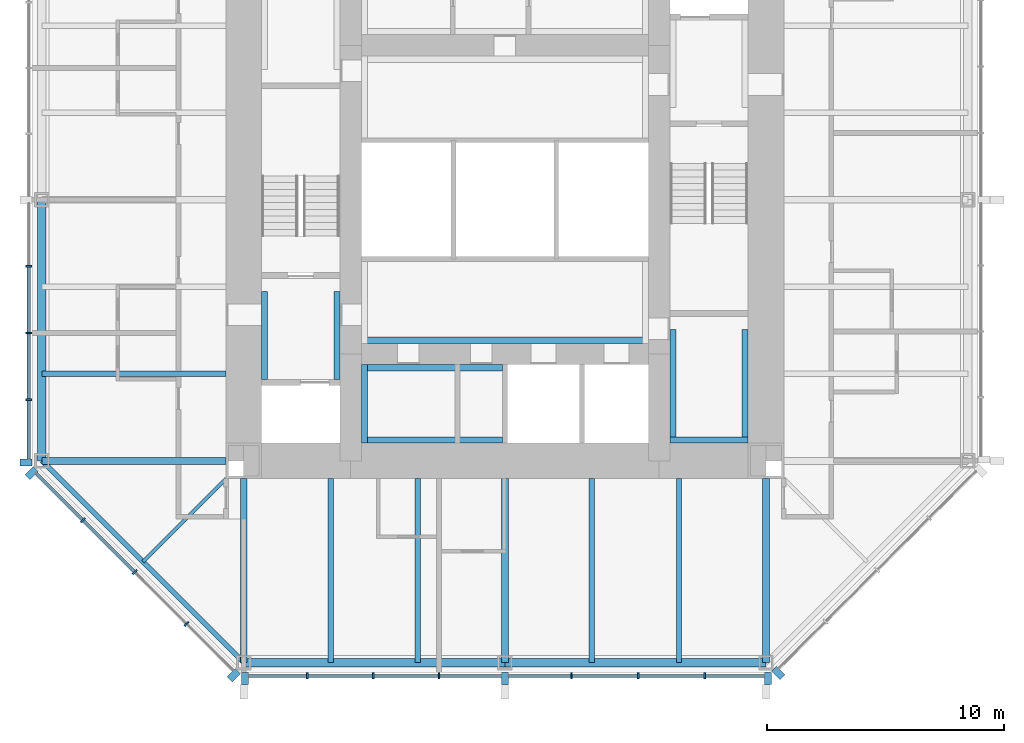
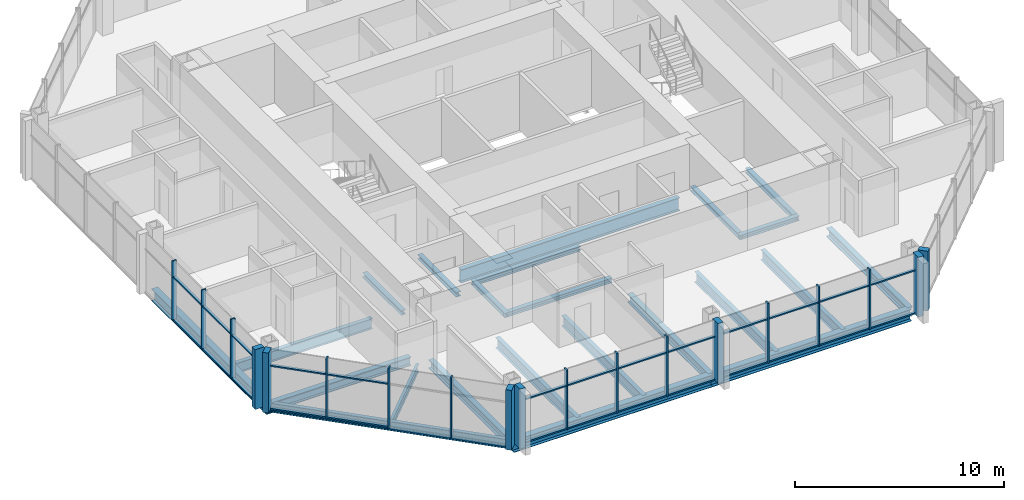
# One storey, part 2 of 11: 45 members, 23 beams, 4 elements without a shape of their own.
"""IFC4 building model written with IfcOpenShell, lengths in metres."""

from ifc_helpers import new_model, si_unit, direction, frame, origin, origin_2d, place, context, subcontext, project, spatial, rectangle, i_section, extrude, material, material_profile, profile_set, type_object, element, aggregate, save


model = new_model("IFC4")

# Units and contexts
model_context = context("Model", 3, precision=1e-05, world=origin(), true_north=direction((0.0, 1.0)))
body_context = subcontext(model_context, "Body", "Model", "MODEL_VIEW")
ifc_project = project(units=[si_unit("LENGTHUNIT", "METRE"), si_unit("AREAUNIT", "SQUARE_METRE"), si_unit("VOLUMEUNIT", "CUBIC_METRE"), si_unit("PLANEANGLEUNIT", "RADIAN"), si_unit("MASSUNIT", "GRAM", prefix="KILO")], contexts=[model_context])

# Site, building, storey
site_placement = place(None, origin())
site = spatial("IfcSite", under=ifc_project, at=site_placement, CompositionType="ELEMENT")
building_placement = place(site_placement, origin())
building = spatial("IfcBuilding", under=site, at=building_placement, Name="Trevanion Tower", CompositionType="ELEMENT")
storey_placement = place(building_placement, frame((0.0, 0.0, 225.699951171875)))
storey = spatial("IfcBuildingStorey", under=building, at=storey_placement, Name="L54", CompositionType="ELEMENT", Elevation=225.699951171875)

# Beams
ifc_material_1 = material(Name="Steel ASTM A992 Grade 50", Category="steel")
ifc_material_profile_1 = material_profile(ifc_material_1, i_section(OverallWidth=0.228271484375, OverallDepth=0.607177734375, WebThickness=0.01123046875, FlangeThickness=0.017333984375, at=origin_2d()), Name="W24X76")
ifc_profile_set_1 = profile_set([ifc_material_profile_1], Name="Steel ASTM A992 Grade 50")
beam_type_1 = type_object("IfcBeamType", Name="B11 W24X76", PredefinedType="BEAM", material=ifc_profile_set_1)
for number, where, z_axis, x_axis, name in (
    (1, (-11.75, -7.333251953125, -0.493408203125), (-1.0, 0.0, 0.0), (0.0, -1.0, 0.0), "B11 L54"),
    (2, (-7.333251953125, -11.75, -0.493408203125), (0.0, -1.0, 0.0), (1.0, 0.0, 0.0), "B11 L54"),
    (3, (-3.666748046875, -11.75, -0.493408203125), (0.0, -1.0, 0.0), (1.0, 0.0, 0.0), "B11 L54"),
    (4, (3.666748046875, -11.75, -0.493408203125), (0.0, -1.0, 0.0), (1.0, 0.0, 0.0), "B11 L54"),
    (5, (7.333251953125, -11.75, -0.493408203125), (0.0, -1.0, 0.0), (1.0, 0.0, 0.0), "B11 L54"),
):
    element("IfcBeam", number, at=place(storey_placement, frame(where, z_axis=z_axis, x_axis=x_axis)), inside=storey, type_object=beam_type_1, Name=name, PredefinedType="BEAM", context=body_context, shape_type="SweptSolid", body=[
        extrude(i_section(OverallWidth=0.228271484375, OverallDepth=0.607177734375, WebThickness=0.01123046875, FlangeThickness=0.017333984375, at=origin_2d()), origin(), (0.0, 0.0, 1.0), 7.75),
    ])
ifc_material_2 = material(Name="Steel ASTM A992 Grade 50", Category="steel")
ifc_material_profile_2 = material_profile(ifc_material_2, i_section(OverallWidth=0.15234375, OverallDepth=0.449462890625, WebThickness=0.007568359375, FlangeThickness=0.0107421875, at=origin_2d()), Name="W18X35")
ifc_profile_set_2 = profile_set([ifc_material_profile_2], Name="Steel ASTM A992 Grade 50")
beam_type_2 = type_object("IfcBeamType", Name="B12 W18X35", PredefinedType="BEAM", material=ifc_profile_set_2)
beam_1_placement = place(storey_placement, frame((-11.75, -11.75, -0.414794921875), z_axis=(-0.707106781187, -0.707106781187, 0.0), x_axis=(0.707106781187, -0.707106781187, 0.0)))
element("IfcBeam", 6, at=beam_1_placement, inside=storey, type_object=beam_type_2, Name="B12 L54", PredefinedType="BEAM", context=body_context, shape_type="SweptSolid", body=[
    extrude(i_section(OverallWidth=0.15234375, OverallDepth=0.449462890625, WebThickness=0.007568359375, FlangeThickness=0.0107421875, at=origin_2d()), origin(), (0.0, 0.0, 1.0), 4.94970703125),
])

# Curtain wall, members
ifc_material_3 = material(Name="Aluminium and glass", Category="aluminium")
curtain_wall_type = type_object("IfcCurtainWallType", Name="CW3 curtain wall", PredefinedType="USERDEFINED", material=ifc_material_3)
curtain_wall_1_placement = place(storey_placement, origin())
curtain_wall_1 = element("IfcCurtainWall", 7, at=curtain_wall_1_placement, inside=storey, type_object=curtain_wall_type, Name="CW3 L54 4", ObjectType="UNITISED CURTAIN WALL", PredefinedType="USERDEFINED")
ifc_material_4 = material(Name="Aluminium extrusion, anodised bronze", Category="aluminium")
ifc_material_profile_3 = material_profile(ifc_material_4, rectangle(XDim=0.074951171875, YDim=0.25, at=origin_2d()), Name="CW3 mullion")
ifc_profile_set_3 = profile_set([ifc_material_profile_3], Name="Aluminium extrusion, anodised bronze")
member_type_1 = type_object("IfcMemberType", Name="CW3 mullion", PredefinedType="MULLION", material=ifc_profile_set_3)
member_1_placement = place(storey_placement, frame((-20.050048828125, -2.806884765625, -0.18994140625), z_axis=(0.0, 0.0, 1.0), x_axis=(0.0, -1.0, 0.0)))
member_1 = element("IfcMember", 8, at=member_1_placement, type_object=member_type_1, Name="CW3 mullion 6", PredefinedType="MULLION", context=body_context, shape_type="SweptSolid", body=[
    extrude(rectangle(XDim=0.074951171875, YDim=0.25, at=origin_2d()), origin(), (0.0, 0.0, 1.0), 3.5),
])
member_2_placement = place(storey_placement, frame((-20.050048828125, -5.614013671875, -0.18994140625), z_axis=(0.0, 0.0, 1.0), x_axis=(0.0, -1.0, 0.0)))
member_2 = element("IfcMember", 9, at=member_2_placement, type_object=member_type_1, Name="CW3 mullion 7", PredefinedType="MULLION", context=body_context, shape_type="SweptSolid", body=[
    extrude(rectangle(XDim=0.074951171875, YDim=0.25, at=origin_2d()), origin(), (0.0, 0.0, 1.0), 3.5),
])
member_3_placement = place(storey_placement, frame((-20.050048828125, -8.4208984375, -0.18994140625), z_axis=(0.0, 0.0, 1.0), x_axis=(0.0, -1.0, 0.0)))
member_3 = element("IfcMember", 10, at=member_3_placement, type_object=member_type_1, Name="CW3 mullion 8", PredefinedType="MULLION", context=body_context, shape_type="SweptSolid", body=[
    extrude(rectangle(XDim=0.074951171875, YDim=0.25, at=origin_2d()), origin(), (0.0, 0.0, 1.0), 3.5),
])

curtain_wall_2_placement = place(storey_placement, origin())
curtain_wall_2 = element("IfcCurtainWall", 11, at=curtain_wall_2_placement, inside=storey, type_object=curtain_wall_type, Name="CW3 L54 5", ObjectType="UNITISED CURTAIN WALL", PredefinedType="USERDEFINED")
member_4_placement = place(storey_placement, frame((-17.775390625, -13.502197265625, -0.18994140625), z_axis=(0.0, 0.0, 1.0), x_axis=(0.707106781187, -0.707106781187, 0.0)))
member_4 = element("IfcMember", 12, at=member_4_placement, type_object=member_type_1, Name="CW3 mullion 2", PredefinedType="MULLION", context=body_context, shape_type="SweptSolid", body=[
    extrude(rectangle(XDim=0.074951171875, YDim=0.25, at=origin_2d()), origin(), (0.0, 0.0, 1.0), 3.5),
])
member_5_placement = place(storey_placement, frame((-15.593017578125, -15.684814453125, -0.18994140625), z_axis=(0.0, 0.0, 1.0), x_axis=(0.707106781187, -0.707106781187, 0.0)))
member_5 = element("IfcMember", 13, at=member_5_placement, type_object=member_type_1, Name="CW3 mullion 3", PredefinedType="MULLION", context=body_context, shape_type="SweptSolid", body=[
    extrude(rectangle(XDim=0.074951171875, YDim=0.25, at=origin_2d()), origin(), (0.0, 0.0, 1.0), 3.5),
])
member_6_placement = place(storey_placement, frame((-13.410400390625, -17.867431640625, -0.18994140625), z_axis=(0.0, 0.0, 1.0), x_axis=(0.707106781187, -0.707106781187, 0.0)))
member_6 = element("IfcMember", 14, at=member_6_placement, type_object=member_type_1, Name="CW3 mullion 4", PredefinedType="MULLION", context=body_context, shape_type="SweptSolid", body=[
    extrude(rectangle(XDim=0.074951171875, YDim=0.25, at=origin_2d()), origin(), (0.0, 0.0, 1.0), 3.5),
])

curtain_wall_3_placement = place(storey_placement, origin())
curtain_wall_3 = element("IfcCurtainWall", 15, at=curtain_wall_3_placement, inside=storey, type_object=curtain_wall_type, Name="CW3 L54 6", ObjectType="UNITISED CURTAIN WALL", PredefinedType="USERDEFINED")
member_7_placement = place(storey_placement, frame((-8.323486328125, -20.050048828125, -0.18994140625), z_axis=(0.0, 0.0, 1.0), x_axis=(1.0, 0.0, 0.0)))
member_7 = element("IfcMember", 16, at=member_7_placement, type_object=member_type_1, Name="CW3 mullion 2", PredefinedType="MULLION", context=body_context, shape_type="SweptSolid", body=[
    extrude(rectangle(XDim=0.074951171875, YDim=0.25, at=origin_2d()), origin(), (0.0, 0.0, 1.0), 3.5),
])
member_8_placement = place(storey_placement, frame((-5.548828125, -20.050048828125, -0.18994140625), z_axis=(0.0, 0.0, 1.0), x_axis=(1.0, 0.0, 0.0)))
member_8 = element("IfcMember", 17, at=member_8_placement, type_object=member_type_1, Name="CW3 mullion 3", PredefinedType="MULLION", context=body_context, shape_type="SweptSolid", body=[
    extrude(rectangle(XDim=0.074951171875, YDim=0.25, at=origin_2d()), origin(), (0.0, 0.0, 1.0), 3.5),
])
member_9_placement = place(storey_placement, frame((-2.7744140625, -20.050048828125, -0.18994140625), z_axis=(0.0, 0.0, 1.0), x_axis=(1.0, 0.0, 0.0)))
member_9 = element("IfcMember", 18, at=member_9_placement, type_object=member_type_1, Name="CW3 mullion 4", PredefinedType="MULLION", context=body_context, shape_type="SweptSolid", body=[
    extrude(rectangle(XDim=0.074951171875, YDim=0.25, at=origin_2d()), origin(), (0.0, 0.0, 1.0), 3.5),
])
member_10_placement = place(storey_placement, frame((2.806884765625, -20.050048828125, -0.18994140625), z_axis=(0.0, 0.0, 1.0), x_axis=(1.0, 0.0, 0.0)))
member_10 = element("IfcMember", 19, at=member_10_placement, type_object=member_type_1, Name="CW3 mullion 6", PredefinedType="MULLION", context=body_context, shape_type="SweptSolid", body=[
    extrude(rectangle(XDim=0.074951171875, YDim=0.25, at=origin_2d()), origin(), (0.0, 0.0, 1.0), 3.5),
])
member_11_placement = place(storey_placement, frame((5.614013671875, -20.050048828125, -0.18994140625), z_axis=(0.0, 0.0, 1.0), x_axis=(1.0, 0.0, 0.0)))
member_11 = element("IfcMember", 20, at=member_11_placement, type_object=member_type_1, Name="CW3 mullion 7", PredefinedType="MULLION", context=body_context, shape_type="SweptSolid", body=[
    extrude(rectangle(XDim=0.074951171875, YDim=0.25, at=origin_2d()), origin(), (0.0, 0.0, 1.0), 3.5),
])
member_12_placement = place(storey_placement, frame((8.4208984375, -20.050048828125, -0.18994140625), z_axis=(0.0, 0.0, 1.0), x_axis=(1.0, 0.0, 0.0)))
member_12 = element("IfcMember", 21, at=member_12_placement, type_object=member_type_1, Name="CW3 mullion 8", PredefinedType="MULLION", context=body_context, shape_type="SweptSolid", body=[
    extrude(rectangle(XDim=0.074951171875, YDim=0.25, at=origin_2d()), origin(), (0.0, 0.0, 1.0), 3.5),
])

# Member
ifc_material_5 = material(Name="Aluminium extrusion, anodised bronze", Category="aluminium")
ifc_material_profile_4 = material_profile(ifc_material_5, rectangle(XDim=0.300048828125, YDim=0.5, at=origin_2d()), Name="CW3 pier mullion")
ifc_profile_set_4 = profile_set([ifc_material_profile_4], Name="Aluminium extrusion, anodised bronze")
member_type_2 = type_object("IfcMemberType", Name="CW3 pier mullion", PredefinedType="MULLION", material=ifc_profile_set_4)
member_13_placement = place(storey_placement, frame((-20.175048828125, -11.077880859375, -0.18994140625), z_axis=(0.0, 0.0, 1.0), x_axis=(0.0, -1.0, 0.0)))
member_13 = element("IfcMember", 22, at=member_13_placement, type_object=member_type_2, Name="CW3 pier mullion 9", PredefinedType="MULLION", context=body_context, shape_type="SweptSolid", body=[
    extrude(rectangle(XDim=0.300048828125, YDim=0.5, at=origin_2d()), origin(), (0.0, 0.0, 1.0), 3.5),
])

member_14_placement = place(storey_placement, frame((-19.9404296875, -11.51416015625, -0.18994140625), z_axis=(0.0, 0.0, 1.0), x_axis=(0.707106781187, -0.707106781187, 0.0)))
member_14 = element("IfcMember", 23, at=member_14_placement, type_object=member_type_2, Name="CW3 pier mullion 1", PredefinedType="MULLION", context=body_context, shape_type="SweptSolid", body=[
    extrude(rectangle(XDim=0.300048828125, YDim=0.5, at=origin_2d()), origin(), (0.0, 0.0, 1.0), 3.5),
])

member_15_placement = place(storey_placement, frame((-11.42236328125, -20.0322265625, -0.18994140625), z_axis=(0.0, 0.0, 1.0), x_axis=(0.707106781187, -0.707106781187, 0.0)))
member_15 = element("IfcMember", 24, at=member_15_placement, type_object=member_type_2, Name="CW3 pier mullion 5", PredefinedType="MULLION", context=body_context, shape_type="SweptSolid", body=[
    extrude(rectangle(XDim=0.300048828125, YDim=0.5, at=origin_2d()), origin(), (0.0, 0.0, 1.0), 3.5),
])

member_16_placement = place(storey_placement, frame((-10.94775390625, -20.175048828125, -0.18994140625), z_axis=(0.0, 0.0, 1.0), x_axis=(1.0, 0.0, 0.0)))
member_16 = element("IfcMember", 25, at=member_16_placement, type_object=member_type_2, Name="CW3 pier mullion 1", PredefinedType="MULLION", context=body_context, shape_type="SweptSolid", body=[
    extrude(rectangle(XDim=0.300048828125, YDim=0.5, at=origin_2d()), origin(), (0.0, 0.0, 1.0), 3.5),
])

member_17_placement = place(storey_placement, frame((0.0, -20.175048828125, -0.18994140625), z_axis=(0.0, 0.0, 1.0), x_axis=(1.0, 0.0, 0.0)))
member_17 = element("IfcMember", 26, at=member_17_placement, type_object=member_type_2, Name="CW3 pier mullion 5", PredefinedType="MULLION", context=body_context, shape_type="SweptSolid", body=[
    extrude(rectangle(XDim=0.300048828125, YDim=0.5, at=origin_2d()), origin(), (0.0, 0.0, 1.0), 3.5),
])

member_18_placement = place(storey_placement, frame((11.077880859375, -20.175048828125, -0.18994140625), z_axis=(0.0, 0.0, 1.0), x_axis=(1.0, 0.0, 0.0)))
member_18 = element("IfcMember", 27, at=member_18_placement, type_object=member_type_2, Name="CW3 pier mullion 9", PredefinedType="MULLION", context=body_context, shape_type="SweptSolid", body=[
    extrude(rectangle(XDim=0.300048828125, YDim=0.5, at=origin_2d()), origin(), (0.0, 0.0, 1.0), 3.5),
])

# Curtain wall, member
curtain_wall_4_placement = place(storey_placement, origin())
curtain_wall_4 = element("IfcCurtainWall", 28, at=curtain_wall_4_placement, inside=storey, type_object=curtain_wall_type, Name="CW3 L54 7", ObjectType="UNITISED CURTAIN WALL", PredefinedType="USERDEFINED")
member_19_placement = place(storey_placement, frame((11.51416015625, -19.9404296875, -0.18994140625), z_axis=(0.0, 0.0, 1.0), x_axis=(0.707106781187, 0.707106781187, 0.0)))
member_19 = element("IfcMember", 29, at=member_19_placement, type_object=member_type_2, Name="CW3 pier mullion 1", PredefinedType="MULLION", context=body_context, shape_type="SweptSolid", body=[
    extrude(rectangle(XDim=0.300048828125, YDim=0.5, at=origin_2d()), origin(), (0.0, 0.0, 1.0), 3.5),
])
aggregate(curtain_wall_4, [member_19])

# Member
ifc_material_6 = material(Name="Aluminium extrusion, anodised bronze", Category="aluminium")
ifc_material_profile_5 = material_profile(ifc_material_6, rectangle(XDim=0.14990234375, YDim=0.074951171875, at=origin_2d()), Name="CW3 transom")
ifc_profile_set_5 = profile_set([ifc_material_profile_5], Name="Aluminium extrusion, anodised bronze")
member_type_3 = type_object("IfcMemberType", Name="CW3 transom", PredefinedType="USERDEFINED", material=ifc_profile_set_5)
member_20_placement = place(storey_placement, frame((-20.050048828125, -2.844482421875, -0.15234375), z_axis=(0.0, -1.0, 0.0), x_axis=(1.0, 0.0, 0.0)))
member_20 = element("IfcMember", 30, at=member_20_placement, type_object=member_type_3, Name="CW3 transom 6.1", ObjectType="TRANSOM", PredefinedType="USERDEFINED", context=body_context, shape_type="SweptSolid", body=[
    extrude(rectangle(XDim=0.14990234375, YDim=0.074951171875, at=origin_2d()), origin(), (0.0, 0.0, 1.0), 2.73193359375),
])

member_21_placement = place(storey_placement, frame((-20.050048828125, -2.844482421875, 2.360107421875), z_axis=(0.0, -1.0, 0.0), x_axis=(1.0, 0.0, 0.0)))
member_21 = element("IfcMember", 31, at=member_21_placement, type_object=member_type_3, Name="CW3 transom 6.2", ObjectType="TRANSOM", PredefinedType="USERDEFINED", context=body_context, shape_type="SweptSolid", body=[
    extrude(rectangle(XDim=0.14990234375, YDim=0.074951171875, at=origin_2d()), origin(), (0.0, 0.0, 1.0), 2.73193359375),
])

member_22_placement = place(storey_placement, frame((-20.050048828125, -5.6513671875, -0.15234375), z_axis=(0.0, -1.0, 0.0), x_axis=(1.0, 0.0, 0.0)))
member_22 = element("IfcMember", 32, at=member_22_placement, type_object=member_type_3, Name="CW3 transom 7.1", ObjectType="TRANSOM", PredefinedType="USERDEFINED", context=body_context, shape_type="SweptSolid", body=[
    extrude(rectangle(XDim=0.14990234375, YDim=0.074951171875, at=origin_2d()), origin(), (0.0, 0.0, 1.0), 2.73193359375),
])

member_23_placement = place(storey_placement, frame((-20.050048828125, -5.6513671875, 2.360107421875), z_axis=(0.0, -1.0, 0.0), x_axis=(1.0, 0.0, 0.0)))
member_23 = element("IfcMember", 33, at=member_23_placement, type_object=member_type_3, Name="CW3 transom 7.2", ObjectType="TRANSOM", PredefinedType="USERDEFINED", context=body_context, shape_type="SweptSolid", body=[
    extrude(rectangle(XDim=0.14990234375, YDim=0.074951171875, at=origin_2d()), origin(), (0.0, 0.0, 1.0), 2.73193359375),
])

member_24_placement = place(storey_placement, frame((-20.050048828125, -8.45849609375, -0.15234375), z_axis=(0.0, -1.0, 0.0), x_axis=(1.0, 0.0, 0.0)))
member_24 = element("IfcMember", 34, at=member_24_placement, type_object=member_type_3, Name="CW3 transom 8.1", ObjectType="TRANSOM", PredefinedType="USERDEFINED", context=body_context, shape_type="SweptSolid", body=[
    extrude(rectangle(XDim=0.14990234375, YDim=0.074951171875, at=origin_2d()), origin(), (0.0, 0.0, 1.0), 2.46923828125),
])

member_25_placement = place(storey_placement, frame((-20.050048828125, -8.45849609375, 2.360107421875), z_axis=(0.0, -1.0, 0.0), x_axis=(1.0, 0.0, 0.0)))
member_25 = element("IfcMember", 35, at=member_25_placement, type_object=member_type_3, Name="CW3 transom 8.2", ObjectType="TRANSOM", PredefinedType="USERDEFINED", context=body_context, shape_type="SweptSolid", body=[
    extrude(rectangle(XDim=0.14990234375, YDim=0.074951171875, at=origin_2d()), origin(), (0.0, 0.0, 1.0), 2.46923828125),
])

aggregate(curtain_wall_1, [member_1, member_2, member_3, member_13, member_20, member_21, member_22, member_23, member_24, member_25])

member_26_placement = place(storey_placement, frame((-19.745849609375, -11.531982421875, -0.15234375), z_axis=(0.707106781187, -0.707106781187, 0.0), x_axis=(0.707106781187, 0.707106781187, 0.0)))
member_26 = element("IfcMember", 36, at=member_26_placement, type_object=member_type_3, Name="CW3 transom 1.1", ObjectType="TRANSOM", PredefinedType="USERDEFINED", context=body_context, shape_type="SweptSolid", body=[
    extrude(rectangle(XDim=0.14990234375, YDim=0.074951171875, at=origin_2d()), origin(), (0.0, 0.0, 1.0), 2.7490234375),
])

member_27_placement = place(storey_placement, frame((-19.745849609375, -11.531982421875, 2.360107421875), z_axis=(0.707106781187, -0.707106781187, 0.0), x_axis=(0.707106781187, 0.707106781187, 0.0)))
member_27 = element("IfcMember", 37, at=member_27_placement, type_object=member_type_3, Name="CW3 transom 1.2", ObjectType="TRANSOM", PredefinedType="USERDEFINED", context=body_context, shape_type="SweptSolid", body=[
    extrude(rectangle(XDim=0.14990234375, YDim=0.074951171875, at=origin_2d()), origin(), (0.0, 0.0, 1.0), 2.7490234375),
])

member_28_placement = place(storey_placement, frame((-17.7490234375, -13.52880859375, -0.15234375), z_axis=(0.707106781187, -0.707106781187, 0.0), x_axis=(0.707106781187, 0.707106781187, 0.0)))
member_28 = element("IfcMember", 38, at=member_28_placement, type_object=member_type_3, Name="CW3 transom 2.1", ObjectType="TRANSOM", PredefinedType="USERDEFINED", context=body_context, shape_type="SweptSolid", body=[
    extrude(rectangle(XDim=0.14990234375, YDim=0.074951171875, at=origin_2d()), origin(), (0.0, 0.0, 1.0), 3.01171875),
])

member_29_placement = place(storey_placement, frame((-17.7490234375, -13.52880859375, 2.360107421875), z_axis=(0.707106781187, -0.707106781187, 0.0), x_axis=(0.707106781187, 0.707106781187, 0.0)))
member_29 = element("IfcMember", 39, at=member_29_placement, type_object=member_type_3, Name="CW3 transom 2.2", ObjectType="TRANSOM", PredefinedType="USERDEFINED", context=body_context, shape_type="SweptSolid", body=[
    extrude(rectangle(XDim=0.14990234375, YDim=0.074951171875, at=origin_2d()), origin(), (0.0, 0.0, 1.0), 3.01171875),
])

aggregate(curtain_wall_2, [member_14, member_4, member_5, member_6, member_15, member_26, member_27, member_28, member_29])

member_30_placement = place(storey_placement, frame((-10.7978515625, -20.050048828125, -0.15234375), z_axis=(1.0, 0.0, 0.0), x_axis=(0.0, 1.0, 0.0)))
member_30 = element("IfcMember", 40, at=member_30_placement, type_object=member_type_3, Name="CW3 transom 1.1", ObjectType="TRANSOM", PredefinedType="USERDEFINED", context=body_context, shape_type="SweptSolid", body=[
    extrude(rectangle(XDim=0.14990234375, YDim=0.074951171875, at=origin_2d()), origin(), (0.0, 0.0, 1.0), 2.43701171875),
])

member_31_placement = place(storey_placement, frame((-10.7978515625, -20.050048828125, 2.360107421875), z_axis=(1.0, 0.0, 0.0), x_axis=(0.0, 1.0, 0.0)))
member_31 = element("IfcMember", 41, at=member_31_placement, type_object=member_type_3, Name="CW3 transom 1.2", ObjectType="TRANSOM", PredefinedType="USERDEFINED", context=body_context, shape_type="SweptSolid", body=[
    extrude(rectangle(XDim=0.14990234375, YDim=0.074951171875, at=origin_2d()), origin(), (0.0, 0.0, 1.0), 2.43701171875),
])

member_32_placement = place(storey_placement, frame((-8.285888671875, -20.050048828125, -0.15234375), z_axis=(1.0, 0.0, 0.0), x_axis=(0.0, 1.0, 0.0)))
member_32 = element("IfcMember", 42, at=member_32_placement, type_object=member_type_3, Name="CW3 transom 2.1", ObjectType="TRANSOM", PredefinedType="USERDEFINED", context=body_context, shape_type="SweptSolid", body=[
    extrude(rectangle(XDim=0.14990234375, YDim=0.074951171875, at=origin_2d()), origin(), (0.0, 0.0, 1.0), 2.699462890625),
])

member_33_placement = place(storey_placement, frame((-8.285888671875, -20.050048828125, 2.360107421875), z_axis=(1.0, 0.0, 0.0), x_axis=(0.0, 1.0, 0.0)))
member_33 = element("IfcMember", 43, at=member_33_placement, type_object=member_type_3, Name="CW3 transom 2.2", ObjectType="TRANSOM", PredefinedType="USERDEFINED", context=body_context, shape_type="SweptSolid", body=[
    extrude(rectangle(XDim=0.14990234375, YDim=0.074951171875, at=origin_2d()), origin(), (0.0, 0.0, 1.0), 2.699462890625),
])

member_34_placement = place(storey_placement, frame((-5.511474609375, -20.050048828125, -0.15234375), z_axis=(1.0, 0.0, 0.0), x_axis=(0.0, 1.0, 0.0)))
member_34 = element("IfcMember", 44, at=member_34_placement, type_object=member_type_3, Name="CW3 transom 3.1", ObjectType="TRANSOM", PredefinedType="USERDEFINED", context=body_context, shape_type="SweptSolid", body=[
    extrude(rectangle(XDim=0.14990234375, YDim=0.074951171875, at=origin_2d()), origin(), (0.0, 0.0, 1.0), 2.699462890625),
])

member_35_placement = place(storey_placement, frame((-5.511474609375, -20.050048828125, 2.360107421875), z_axis=(1.0, 0.0, 0.0), x_axis=(0.0, 1.0, 0.0)))
member_35 = element("IfcMember", 45, at=member_35_placement, type_object=member_type_3, Name="CW3 transom 3.2", ObjectType="TRANSOM", PredefinedType="USERDEFINED", context=body_context, shape_type="SweptSolid", body=[
    extrude(rectangle(XDim=0.14990234375, YDim=0.074951171875, at=origin_2d()), origin(), (0.0, 0.0, 1.0), 2.699462890625),
])

member_36_placement = place(storey_placement, frame((-2.737060546875, -20.050048828125, -0.15234375), z_axis=(1.0, 0.0, 0.0), x_axis=(0.0, 1.0, 0.0)))
member_36 = element("IfcMember", 46, at=member_36_placement, type_object=member_type_3, Name="CW3 transom 4.1", ObjectType="TRANSOM", PredefinedType="USERDEFINED", context=body_context, shape_type="SweptSolid", body=[
    extrude(rectangle(XDim=0.14990234375, YDim=0.074951171875, at=origin_2d()), origin(), (0.0, 0.0, 1.0), 2.587158203125),
])

member_37_placement = place(storey_placement, frame((-2.737060546875, -20.050048828125, 2.360107421875), z_axis=(1.0, 0.0, 0.0), x_axis=(0.0, 1.0, 0.0)))
member_37 = element("IfcMember", 47, at=member_37_placement, type_object=member_type_3, Name="CW3 transom 4.2", ObjectType="TRANSOM", PredefinedType="USERDEFINED", context=body_context, shape_type="SweptSolid", body=[
    extrude(rectangle(XDim=0.14990234375, YDim=0.074951171875, at=origin_2d()), origin(), (0.0, 0.0, 1.0), 2.587158203125),
])

member_38_placement = place(storey_placement, frame((0.14990234375, -20.050048828125, -0.15234375), z_axis=(1.0, 0.0, 0.0), x_axis=(0.0, 1.0, 0.0)))
member_38 = element("IfcMember", 48, at=member_38_placement, type_object=member_type_3, Name="CW3 transom 5.1", ObjectType="TRANSOM", PredefinedType="USERDEFINED", context=body_context, shape_type="SweptSolid", body=[
    extrude(rectangle(XDim=0.14990234375, YDim=0.074951171875, at=origin_2d()), origin(), (0.0, 0.0, 1.0), 2.619384765625),
])

member_39_placement = place(storey_placement, frame((0.14990234375, -20.050048828125, 2.360107421875), z_axis=(1.0, 0.0, 0.0), x_axis=(0.0, 1.0, 0.0)))
member_39 = element("IfcMember", 49, at=member_39_placement, type_object=member_type_3, Name="CW3 transom 5.2", ObjectType="TRANSOM", PredefinedType="USERDEFINED", context=body_context, shape_type="SweptSolid", body=[
    extrude(rectangle(XDim=0.14990234375, YDim=0.074951171875, at=origin_2d()), origin(), (0.0, 0.0, 1.0), 2.619384765625),
])

member_40_placement = place(storey_placement, frame((2.844482421875, -20.050048828125, -0.15234375), z_axis=(1.0, 0.0, 0.0), x_axis=(0.0, 1.0, 0.0)))
member_40 = element("IfcMember", 50, at=member_40_placement, type_object=member_type_3, Name="CW3 transom 6.1", ObjectType="TRANSOM", PredefinedType="USERDEFINED", context=body_context, shape_type="SweptSolid", body=[
    extrude(rectangle(XDim=0.14990234375, YDim=0.074951171875, at=origin_2d()), origin(), (0.0, 0.0, 1.0), 2.73193359375),
])

member_41_placement = place(storey_placement, frame((2.844482421875, -20.050048828125, 2.360107421875), z_axis=(1.0, 0.0, 0.0), x_axis=(0.0, 1.0, 0.0)))
member_41 = element("IfcMember", 51, at=member_41_placement, type_object=member_type_3, Name="CW3 transom 6.2", ObjectType="TRANSOM", PredefinedType="USERDEFINED", context=body_context, shape_type="SweptSolid", body=[
    extrude(rectangle(XDim=0.14990234375, YDim=0.074951171875, at=origin_2d()), origin(), (0.0, 0.0, 1.0), 2.73193359375),
])

member_42_placement = place(storey_placement, frame((5.6513671875, -20.050048828125, -0.15234375), z_axis=(1.0, 0.0, 0.0), x_axis=(0.0, 1.0, 0.0)))
member_42 = element("IfcMember", 52, at=member_42_placement, type_object=member_type_3, Name="CW3 transom 7.1", ObjectType="TRANSOM", PredefinedType="USERDEFINED", context=body_context, shape_type="SweptSolid", body=[
    extrude(rectangle(XDim=0.14990234375, YDim=0.074951171875, at=origin_2d()), origin(), (0.0, 0.0, 1.0), 2.73193359375),
])

member_43_placement = place(storey_placement, frame((5.6513671875, -20.050048828125, 2.360107421875), z_axis=(1.0, 0.0, 0.0), x_axis=(0.0, 1.0, 0.0)))
member_43 = element("IfcMember", 53, at=member_43_placement, type_object=member_type_3, Name="CW3 transom 7.2", ObjectType="TRANSOM", PredefinedType="USERDEFINED", context=body_context, shape_type="SweptSolid", body=[
    extrude(rectangle(XDim=0.14990234375, YDim=0.074951171875, at=origin_2d()), origin(), (0.0, 0.0, 1.0), 2.73193359375),
])

member_44_placement = place(storey_placement, frame((8.45849609375, -20.050048828125, -0.15234375), z_axis=(1.0, 0.0, 0.0), x_axis=(0.0, 1.0, 0.0)))
member_44 = element("IfcMember", 54, at=member_44_placement, type_object=member_type_3, Name="CW3 transom 8.1", ObjectType="TRANSOM", PredefinedType="USERDEFINED", context=body_context, shape_type="SweptSolid", body=[
    extrude(rectangle(XDim=0.14990234375, YDim=0.074951171875, at=origin_2d()), origin(), (0.0, 0.0, 1.0), 2.46923828125),
])

member_45_placement = place(storey_placement, frame((8.45849609375, -20.050048828125, 2.360107421875), z_axis=(1.0, 0.0, 0.0), x_axis=(0.0, 1.0, 0.0)))
member_45 = element("IfcMember", 55, at=member_45_placement, type_object=member_type_3, Name="CW3 transom 8.2", ObjectType="TRANSOM", PredefinedType="USERDEFINED", context=body_context, shape_type="SweptSolid", body=[
    extrude(rectangle(XDim=0.14990234375, YDim=0.074951171875, at=origin_2d()), origin(), (0.0, 0.0, 1.0), 2.46923828125),
])

aggregate(curtain_wall_3, [member_16, member_7, member_8, member_9, member_17, member_10, member_11, member_12, member_18, member_30, member_31, member_32, member_33, member_34, member_35, member_36, member_37, member_38, member_39, member_40, member_41, member_42, member_43, member_44, member_45])

# Beams
ifc_material_7 = material(Name="Steel ASTM A992 Grade 50", Category="steel")
ifc_material_profile_6 = material_profile(ifc_material_7, i_section(OverallWidth=0.28955078125, OverallDepth=0.508056640625, WebThickness=0.022705078125, FlangeThickness=0.040283203125, at=origin_2d()), Name="W18X175")
ifc_profile_set_6 = profile_set([ifc_material_profile_6], Name="Steel ASTM A992 Grade 50")
beam_type_3 = type_object("IfcBeamType", Name="G6 W18X175", PredefinedType="BEAM", material=ifc_profile_set_6)
for number, where, z_axis, x_axis, name in (
    (56, (-11.75, -11.0, -0.44384765625), (-1.0, 0.0, 0.0), (0.0, -1.0, 0.0), "G6 L54"),
    (57, (-11.0, -11.75, -0.44384765625), (0.0, -1.0, 0.0), (1.0, 0.0, 0.0), "G6 L54"),
    (58, (0.0, -11.75, -0.44384765625), (0.0, -1.0, 0.0), (1.0, 0.0, 0.0), "G6 L54"),
    (59, (11.0, -11.75, -0.44384765625), (0.0, -1.0, 0.0), (1.0, 0.0, 0.0), "G6 L54"),
):
    element("IfcBeam", number, at=place(storey_placement, frame(where, z_axis=z_axis, x_axis=x_axis)), inside=storey, type_object=beam_type_3, Name=name, PredefinedType="BEAM", context=body_context, shape_type="SweptSolid", body=[
        extrude(i_section(OverallWidth=0.28955078125, OverallDepth=0.508056640625, WebThickness=0.022705078125, FlangeThickness=0.040283203125, at=origin_2d()), origin(), (0.0, 0.0, 1.0), 7.75),
    ])
ifc_material_8 = material(Name="Steel ASTM A992 Grade 50", Category="steel")
ifc_material_profile_7 = material_profile(ifc_material_8, i_section(OverallWidth=0.256591796875, OverallDepth=0.26416015625, WebThickness=0.011962890625, FlangeThickness=0.01953125, at=origin_2d()), Name="W10X68")
ifc_profile_set_7 = profile_set([ifc_material_profile_7], Name="Steel ASTM A992 Grade 50")
beam_type_4 = type_object("IfcBeamType", Name="LB1 W10X68", PredefinedType="BEAM", material=ifc_profile_set_7)
for number, where, z_axis, x_axis, name in (
    (60, (-10.12158203125, -7.574951171875, -0.33203125), (0.0, 1.0, 0.0), (-1.0, 0.0, 0.0), "LB1 L54"),
    (61, (-7.078369140625, -7.574951171875, -0.33203125), (0.0, 1.0, 0.0), (-1.0, 0.0, 0.0), "LB1 L54"),
):
    element("IfcBeam", number, at=place(storey_placement, frame(where, z_axis=z_axis, x_axis=x_axis)), inside=storey, type_object=beam_type_4, Name=name, PredefinedType="BEAM", context=body_context, shape_type="SweptSolid", body=[
        extrude(i_section(OverallWidth=0.256591796875, OverallDepth=0.26416015625, WebThickness=0.011962890625, FlangeThickness=0.01953125, at=origin_2d()), origin(), (0.0, 0.0, 1.0), 3.699951171875),
    ])
for number, where, z_axis, x_axis, name in (
    (62, (7.078369140625, -10.25, -0.33203125), (0.0, 1.0, 0.0), (-1.0, 0.0, 0.0), "LB1 L54"),
    (63, (10.12158203125, -10.25, -0.33203125), (0.0, 1.0, 0.0), (-1.0, 0.0, 0.0), "LB1 L54"),
):
    element("IfcBeam", number, at=place(storey_placement, frame(where, z_axis=z_axis, x_axis=x_axis)), inside=storey, type_object=beam_type_4, Name=name, PredefinedType="BEAM", context=body_context, shape_type="SweptSolid", body=[
        extrude(i_section(OverallWidth=0.256591796875, OverallDepth=0.26416015625, WebThickness=0.011962890625, FlangeThickness=0.01953125, at=origin_2d()), origin(), (0.0, 0.0, 1.0), 4.77490234375),
    ])
for number, where, z_axis, x_axis, name in (
    (64, (6.949951171875, -10.12158203125, -0.33203125), (1.0, 0.0, 0.0), (0.0, 1.0, 0.0), "LB1 L54"),
    (65, (-5.921630859375, -10.25, -0.33203125), (0.0, 1.0, 0.0), (-1.0, 0.0, 0.0), "LB1 L54"),
):
    element("IfcBeam", number, at=place(storey_placement, frame(where, z_axis=z_axis, x_axis=x_axis)), inside=storey, type_object=beam_type_4, Name=name, PredefinedType="BEAM", context=body_context, shape_type="SweptSolid", body=[
        extrude(i_section(OverallWidth=0.256591796875, OverallDepth=0.26416015625, WebThickness=0.011962890625, FlangeThickness=0.01953125, at=origin_2d()), origin(), (0.0, 0.0, 1.0), 3.300048828125),
    ])
for number, where, z_axis, x_axis, name in (
    (66, (-6.050048828125, -10.12158203125, -0.33203125), (1.0, 0.0, 0.0), (0.0, 1.0, 0.0), "LB1 L54"),
    (67, (-6.050048828125, -7.078369140625, -0.33203125), (1.0, 0.0, 0.0), (0.0, 1.0, 0.0), "LB1 L54"),
):
    element("IfcBeam", number, at=place(storey_placement, frame(where, z_axis=z_axis, x_axis=x_axis)), inside=storey, type_object=beam_type_4, Name=name, PredefinedType="BEAM", context=body_context, shape_type="SweptSolid", body=[
        extrude(i_section(OverallWidth=0.256591796875, OverallDepth=0.26416015625, WebThickness=0.011962890625, FlangeThickness=0.01953125, at=origin_2d()), origin(), (0.0, 0.0, 1.0), 5.949951171875),
    ])
ifc_material_9 = material(Name="Steel ASTM A992 Grade 50", Category="steel")
ifc_material_profile_8 = material_profile(ifc_material_9, i_section(OverallWidth=0.2666015625, OverallDepth=0.76953125, WebThickness=0.015625, FlangeThickness=0.025390625, at=origin_2d()), Name="W30X132")
ifc_profile_set_8 = profile_set([ifc_material_profile_8], Name="Steel ASTM A992 Grade 50")
beam_type_5 = type_object("IfcBeamType", Name="LB3 W30X132", PredefinedType="BEAM", material=ifc_profile_set_8)
beam_2_placement = place(storey_placement, frame((-6.050048828125, -5.91650390625, -0.584716796875), z_axis=(1.0, 0.0, 0.0), x_axis=(0.0, 1.0, 0.0)))
element("IfcBeam", 68, at=beam_2_placement, inside=storey, type_object=beam_type_5, Name="LB3 L54", PredefinedType="BEAM", context=body_context, shape_type="SweptSolid", body=[
    extrude(i_section(OverallWidth=0.2666015625, OverallDepth=0.76953125, WebThickness=0.015625, FlangeThickness=0.025390625, at=origin_2d()), origin(), (0.0, 0.0, 1.0), 12.10009765625),
])
ifc_material_10 = material(Name="Steel ASTM A992 Grade 50", Category="steel")
ifc_material_profile_9 = material_profile(ifc_material_10, i_section(OverallWidth=0.355712890625, OverallDepth=0.696044921875, WebThickness=0.015380859375, FlangeThickness=0.024658203125, at=origin_2d()), Name="W27X146")
ifc_profile_set_9 = profile_set([ifc_material_profile_9], Name="Steel ASTM A992 Grade 50")
beam_type_6 = type_object("IfcBeamType", Name="SB8 W27X146", PredefinedType="SPANDREL", material=ifc_profile_set_9)
for number, where, z_axis, x_axis, name in (
    (69, (-19.5, 0.0, -0.537841796875), (0.0, -1.0, 0.0), (1.0, 0.0, 0.0), "SB8 L54"),
    (70, (-11.0, -19.5, -0.537841796875), (1.0, 0.0, 0.0), (0.0, 1.0, 0.0), "SB8 L54"),
    (71, (0.0, -19.5, -0.537841796875), (1.0, 0.0, 0.0), (0.0, 1.0, 0.0), "SB8 L54"),
):
    element("IfcBeam", number, at=place(storey_placement, frame(where, z_axis=z_axis, x_axis=x_axis)), inside=storey, type_object=beam_type_6, Name=name, PredefinedType="SPANDREL", context=body_context, shape_type="SweptSolid", body=[
        extrude(i_section(OverallWidth=0.355712890625, OverallDepth=0.696044921875, WebThickness=0.015380859375, FlangeThickness=0.024658203125, at=origin_2d()), origin(), (0.0, 0.0, 1.0), 11.0),
    ])
ifc_material_11 = material(Name="Steel ASTM A992 Grade 50", Category="steel")
ifc_material_profile_10 = material_profile(ifc_material_11, i_section(OverallWidth=0.209228515625, OverallDepth=0.533447265625, WebThickness=0.01025390625, FlangeThickness=0.015625, at=origin_2d()), Name="W21X62")
ifc_profile_set_10 = profile_set([ifc_material_profile_10], Name="Steel ASTM A992 Grade 50")
beam_type_7 = type_object("IfcBeamType", Name="SB9 W21X62", PredefinedType="SPANDREL", material=ifc_profile_set_10)
beam_3_placement = place(storey_placement, frame((-19.5, -11.0, -0.45654296875), z_axis=(0.707106781187, -0.707106781187, 0.0), x_axis=(0.707106781187, 0.707106781187, 0.0)))
element("IfcBeam", 72, at=beam_3_placement, inside=storey, type_object=beam_type_7, Name="SB9 L54", PredefinedType="SPANDREL", context=body_context, shape_type="SweptSolid", body=[
    extrude(i_section(OverallWidth=0.209228515625, OverallDepth=0.533447265625, WebThickness=0.01025390625, FlangeThickness=0.015625, at=origin_2d()), origin(), (0.0, 0.0, 1.0), 12.020751953125),
])

save(model, "model.ifc")
